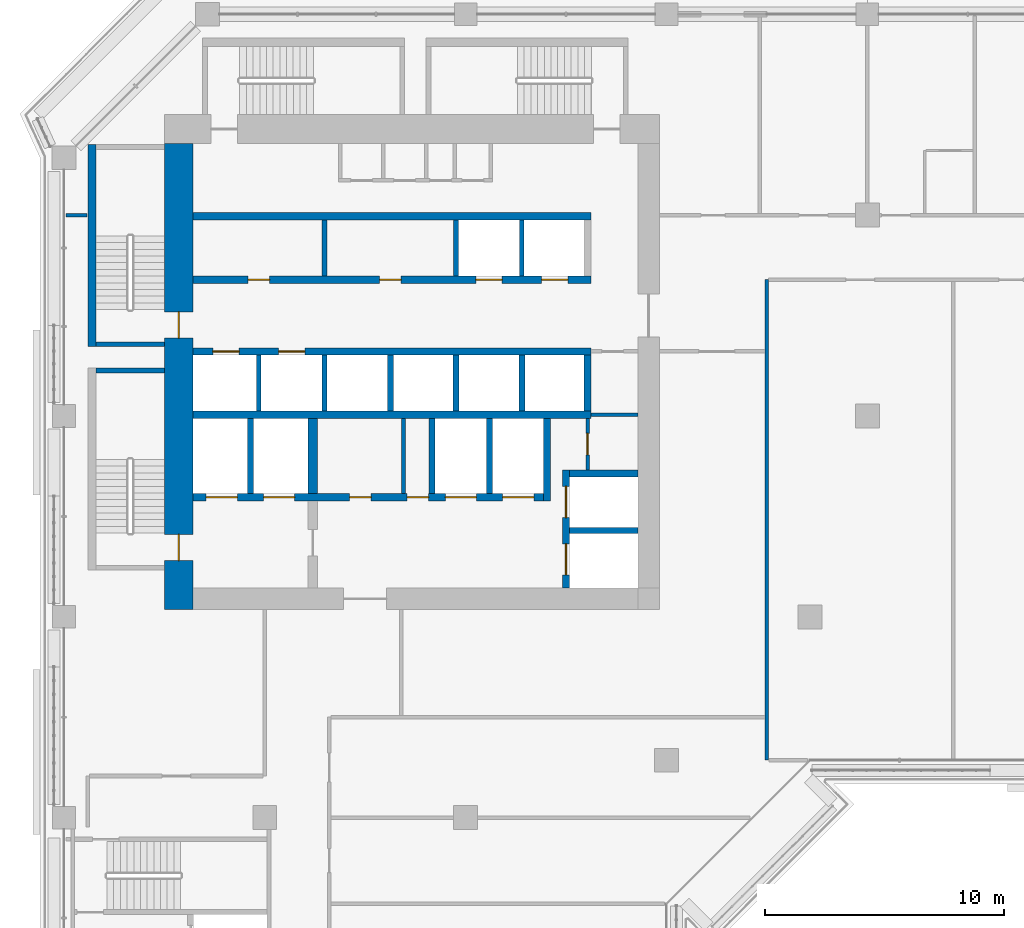
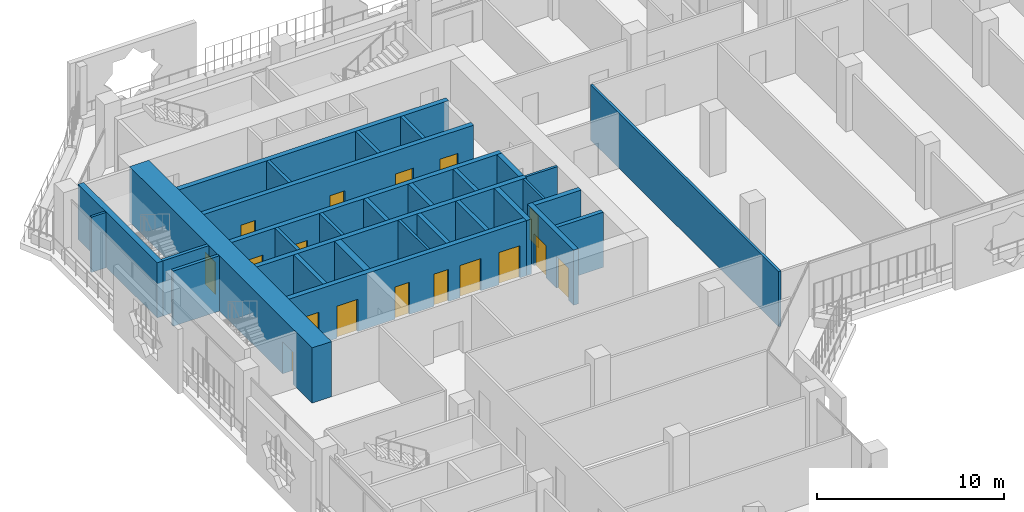
# One storey, part 11 of 21: 31 walls, 17 doors, 17 openings.
"""IFC4 building model written with IfcOpenShell, lengths in metres."""

from ifc_helpers import new_model, si_unit, direction, frame, frame_2d, origin, place, context, subcontext, project, spatial, rectangle, extrude, material, layer, layer_set, type_object, element, fill, save


model = new_model("IFC4")

# Units and contexts
model_context = context("Model", 3, precision=1e-05, world=origin(), true_north=direction((0.0, 1.0)))
body_context = subcontext(model_context, "Body", "Model", "MODEL_VIEW")
ifc_project = project(units=[si_unit("LENGTHUNIT", "METRE"), si_unit("AREAUNIT", "SQUARE_METRE"), si_unit("VOLUMEUNIT", "CUBIC_METRE"), si_unit("PLANEANGLEUNIT", "RADIAN"), si_unit("MASSUNIT", "GRAM", prefix="KILO")], contexts=[model_context])

# Site, building, storey
site_placement = place(None, origin())
site = spatial("IfcSite", under=ifc_project, at=site_placement, CompositionType="ELEMENT")
building_placement = place(site_placement, origin())
building = spatial("IfcBuilding", under=site, at=building_placement, Name="Kawkab Arch Medical Tower", CompositionType="ELEMENT")
storey_placement = place(building_placement, frame((0.0, 0.0, 200.39990234375)))
storey = spatial("IfcBuildingStorey", under=building, at=storey_placement, Name="L46", CompositionType="ELEMENT", Elevation=200.39990234375)

# Wall, openings, doors
ifc_material_1 = material(Name="Concrete C55/67", Category="concrete")
ifc_layer_1 = layer(ifc_material_1, 1.199951171875)
ifc_layer_set_1 = layer_set([ifc_layer_1], Name="Concrete C55/67")
wall_type_1 = type_object("IfcWallType", Name="Core ring wall 1200 C55/67", PredefinedType="SHEAR", material=ifc_layer_set_1)
wall_1_placement = place(storey_placement, frame((4.800048828125, -24.89990234375, 0.0), z_axis=(0.0, 0.0, 1.0), x_axis=(0.0, 1.0, 0.0)))
wall_1 = element("IfcWall", 1, at=wall_1_placement, inside=storey, type_object=wall_type_1, Name="L46 core wall", PredefinedType="SHEAR", context=body_context, shape_type="SweptSolid", body=[
    extrude(rectangle(XDim=19.5, YDim=1.199951171875, at=frame_2d((9.75, 0.0))), origin(), (0.0, 0.0, 1.0), 3.60009765625),
])
opening_1_placement = place(wall_1_placement, frame((11.35009765625, 0.0, 0.0)))
opening_1 = element("IfcOpeningElement", 2, at=opening_1_placement, cuts=wall_1, Name="Opening SD", PredefinedType="OPENING", context=body_context, shape_type="SweptSolid", body=[
    extrude(rectangle(XDim=1.10009765625, YDim=2.10009765625, at=frame_2d((0.550048828125, 1.050048828125))), frame((0.0, 0.60986328125, 0.0), z_axis=(0.0, -1.0, 0.0), x_axis=(1.0, 0.0, 0.0)), (0.0, 0.0, 1.0), 1.219970703125),
])
opening_2_placement = place(wall_1_placement, frame((2.050048828125, 0.0, 0.0)))
opening_2 = element("IfcOpeningElement", 3, at=opening_2_placement, cuts=wall_1, Name="Opening SD", PredefinedType="OPENING", context=body_context, shape_type="SweptSolid", body=[
    extrude(rectangle(XDim=1.10009765625, YDim=2.10009765625, at=frame_2d((0.550048828125, 1.050048828125))), frame((0.0, 0.60986328125, 0.0), z_axis=(0.0, -1.0, 0.0), x_axis=(1.0, 0.0, 0.0)), (0.0, 0.0, 1.0), 1.219970703125),
])
ifc_material_2 = material(Name="Hollow metal fire door leaf")
door_type_1 = type_object("IfcDoorType", Name="Exit stair door 1100", OperationType="SINGLE_SWING_LEFT", PredefinedType="DOOR", material=ifc_material_2)
door_1_placement = place(opening_1_placement, origin())
door_1 = element("IfcDoor", 4, at=door_1_placement, inside=storey, type_object=door_type_1, Name="L46 Exit stair ST1 door", OperationType="SINGLE_SWING_LEFT", OverallHeight=2.10009765625, OverallWidth=1.10009765625, PredefinedType="DOOR", context=body_context, shape_type="SweptSolid", body=[
    extrude(rectangle(XDim=1.10009765625, YDim=2.10009765625, at=frame_2d((0.550048828125, 1.050048828125))), frame((0.0, 0.02490234375, 0.0), z_axis=(0.0, -1.0, 0.0), x_axis=(1.0, 0.0, 0.0)), (0.0, 0.0, 1.0), 0.050048828125),
])
fill(opening_1, door_1)
door_2_placement = place(opening_2_placement, origin())
door_2 = element("IfcDoor", 5, at=door_2_placement, inside=storey, type_object=door_type_1, Name="L46 Exit stair ST2 door", OperationType="SINGLE_SWING_LEFT", OverallHeight=2.10009765625, OverallWidth=1.10009765625, PredefinedType="DOOR", context=body_context, shape_type="SweptSolid", body=[
    extrude(rectangle(XDim=1.10009765625, YDim=2.10009765625, at=frame_2d((0.550048828125, 1.050048828125))), frame((0.0, 0.02490234375, 0.0), z_axis=(0.0, -1.0, 0.0), x_axis=(1.0, 0.0, 0.0)), (0.0, 0.0, 1.0), 0.050048828125),
])
fill(opening_2, door_2)

# Wall, opening, door
ifc_material_3 = material(Name="Gypsum board on steel studs", Category="steel")
ifc_layer_2 = layer(ifc_material_3, 0.14990234375)
ifc_layer_set_2 = layer_set([ifc_layer_2], Name="Gypsum board on steel studs")
wall_type_2 = type_object("IfcWallType", Name="Core room partition 150", PredefinedType="PARTITIONING", material=ifc_layer_set_2)
wall_2_placement = place(storey_placement, frame((21.89990234375, -19.050048828125, 0.0), z_axis=(0.0, 0.0, 1.0), x_axis=(0.0, 1.0, 0.0)))
wall_2 = element("IfcWall", 6, at=wall_2_placement, inside=storey, type_object=wall_type_2, Name="L46 core room partition", PredefinedType="PARTITIONING", context=body_context, shape_type="SweptSolid", body=[
    extrude(rectangle(XDim=2.150146484375, YDim=0.14990234375, at=frame_2d((1.0751953125, 0.0))), origin(), (0.0, 0.0, 1.0), 3.60009765625),
])
opening_3_placement = place(wall_2_placement, frame((0.625, 0.0, 0.0)))
opening_3 = element("IfcOpeningElement", 7, at=opening_3_placement, cuts=wall_2, Name="Opening RD", PredefinedType="OPENING", context=body_context, shape_type="SweptSolid", body=[
    extrude(rectangle(XDim=0.89990234375, YDim=2.10009765625, at=frame_2d((0.449951171875, 1.050048828125))), frame((0.0, 0.0849609375, 0.0), z_axis=(0.0, -1.0, 0.0), x_axis=(1.0, 0.0, 0.0)), (0.0, 0.0, 1.0), 0.169921875),
])
ifc_material_4 = material(Name="Hollow metal fire door leaf")
door_type_2 = type_object("IfcDoorType", Name="Core room door 900", OperationType="SINGLE_SWING_LEFT", PredefinedType="DOOR", material=ifc_material_4)
door_3_placement = place(opening_3_placement, origin())
door_3 = element("IfcDoor", 8, at=door_3_placement, inside=storey, type_object=door_type_2, Name="L46 Staff WC door", OperationType="SINGLE_SWING_LEFT", OverallHeight=2.10009765625, OverallWidth=0.89990234375, PredefinedType="DOOR", context=body_context, shape_type="SweptSolid", body=[
    extrude(rectangle(XDim=0.89990234375, YDim=2.10009765625, at=frame_2d((0.449951171875, 1.050048828125))), frame((0.0, 0.02490234375, 0.0), z_axis=(0.0, -1.0, 0.0), x_axis=(1.0, 0.0, 0.0)), (0.0, 0.0, 1.0), 0.050048828125),
])
fill(opening_3, door_3)

# Walls
wall_3_placement = place(storey_placement, frame((22.050048828125, -16.75, 0.0), z_axis=(0.0, 0.0, 1.0), x_axis=(1.0, 0.0, 0.0)))
element("IfcWall", 9, at=wall_3_placement, inside=storey, type_object=wall_type_2, Name="L46 core room partition", PredefinedType="PARTITIONING", context=body_context, shape_type="SweptSolid", body=[
    extrude(rectangle(XDim=1.949951171875, YDim=0.14990234375, at=frame_2d((0.97509765625, 0.0))), origin(), (0.0, 0.0, 1.0), 3.60009765625),
])
wall_4_placement = place(storey_placement, frame((14.199951171875, -20.050048828125, 0.0), z_axis=(0.0, 0.0, 1.0), x_axis=(0.0, 1.0, 0.0)))
element("IfcWall", 10, at=wall_4_placement, inside=storey, type_object=wall_type_2, Name="L46 core room partition", PredefinedType="PARTITIONING", context=body_context, shape_type="SweptSolid", body=[
    extrude(rectangle(XDim=3.150146484375, YDim=0.14990234375, at=frame_2d((1.5751953125, 0.0))), origin(), (0.0, 0.0, 1.0), 3.60009765625),
])
ifc_material_5 = material(Name="Concrete C60/75", Category="concrete")
ifc_layer_3 = layer(ifc_material_5, 0.25)
ifc_layer_set_3 = layer_set([ifc_layer_3], Name="Concrete C60/75")
wall_type_3 = type_object("IfcWallType", Name="Core shear wall 250 C60/75", PredefinedType="SHEAR", material=ifc_layer_set_3)
wall_5_placement = place(storey_placement, frame((21.14990234375, -21.60009765625, 0.0), z_axis=(0.0, 0.0, 1.0), x_axis=(1.0, 0.0, 0.0)))
element("IfcWall", 11, at=wall_5_placement, inside=storey, type_object=wall_type_3, Name="L46 core shear wall", PredefinedType="SHEAR", context=body_context, shape_type="SweptSolid", body=[
    extrude(rectangle(XDim=2.85009765625, YDim=0.25, at=frame_2d((1.425048828125, 0.0))), origin(), (0.0, 0.0, 1.0), 3.60009765625),
])
for number, where, z_axis, x_axis, name in (
    (12, (7.800048828125, -20.050048828125, 0.0), (0.0, 0.0, 1.0), (0.0, 1.0, 0.0), "L46 core shear wall"),
    (13, (15.39990234375, -20.050048828125, 0.0), (0.0, 0.0, 1.0), (0.0, 1.0, 0.0), "L46 core shear wall"),
    (14, (17.800048828125, -20.050048828125, 0.0), (0.0, 0.0, 1.0), (0.0, 1.0, 0.0), "L46 core shear wall"),
):
    element("IfcWall", number, at=place(storey_placement, frame(where, z_axis=z_axis, x_axis=x_axis)), inside=storey, type_object=wall_type_3, Name=name, PredefinedType="SHEAR", context=body_context, shape_type="SweptSolid", body=[
        extrude(rectangle(XDim=3.150146484375, YDim=0.25, at=frame_2d((1.5751953125, 0.0))), origin(), (0.0, 0.0, 1.0), 3.60009765625),
    ])
for number, where, z_axis, x_axis, name in (
    (15, (13.64990234375, -16.60009765625, 0.0), (0.0, 0.0, 1.0), (0.0, 1.0, 0.0), "L46 core shear wall"),
    (16, (16.39990234375, -16.60009765625, 0.0), (0.0, 0.0, 1.0), (0.0, 1.0, 0.0), "L46 core shear wall"),
    (17, (19.14990234375, -16.60009765625, 0.0), (0.0, 0.0, 1.0), (0.0, 1.0, 0.0), "L46 core shear wall"),
):
    element("IfcWall", number, at=place(storey_placement, frame(where, z_axis=z_axis, x_axis=x_axis)), inside=storey, type_object=wall_type_3, Name=name, PredefinedType="SHEAR", context=body_context, shape_type="SweptSolid", body=[
        extrude(rectangle(XDim=2.35009765625, YDim=0.25, at=frame_2d((1.175048828125, 0.0))), origin(), (0.0, 0.0, 1.0), 3.60009765625),
    ])
ifc_material_6 = material(Name="Concrete C60/75", Category="concrete")
ifc_layer_4 = layer(ifc_material_6, 0.300048828125)
ifc_layer_set_4 = layer_set([ifc_layer_4], Name="Concrete C60/75")
wall_type_4 = type_object("IfcWallType", Name="Core shear wall 300 C60/75", PredefinedType="SHEAR", material=ifc_layer_set_4)
wall_6_placement = place(storey_placement, frame((5.39990234375, -8.449951171875, 0.0), z_axis=(0.0, 0.0, 1.0), x_axis=(1.0, 0.0, 0.0)))
element("IfcWall", 18, at=wall_6_placement, inside=storey, type_object=wall_type_4, Name="L46 core shear wall", PredefinedType="SHEAR", context=body_context, shape_type="SweptSolid", body=[
    extrude(rectangle(XDim=16.650146484375, YDim=0.300048828125, at=frame_2d((8.3251953125, 0.0))), origin(), (0.0, 0.0, 1.0), 3.60009765625),
])

# Wall, openings, doors
wall_7_placement = place(storey_placement, frame((5.39990234375, -11.10009765625, 0.0), z_axis=(0.0, 0.0, 1.0), x_axis=(1.0, 0.0, 0.0)))
wall_7 = element("IfcWall", 19, at=wall_7_placement, inside=storey, type_object=wall_type_4, Name="L46 core shear wall", PredefinedType="SHEAR", context=body_context, shape_type="SweptSolid", body=[
    extrude(rectangle(XDim=16.650146484375, YDim=0.300048828125, at=frame_2d((8.3251953125, 0.0))), origin(), (0.0, 0.0, 1.0), 3.60009765625),
])
opening_4_placement = place(wall_7_placement, frame((11.824951171875, 0.0, 0.0)))
opening_4 = element("IfcOpeningElement", 20, at=opening_4_placement, cuts=wall_7, Name="Opening LD1", PredefinedType="OPENING", context=body_context, shape_type="SweptSolid", body=[
    extrude(rectangle(XDim=1.10009765625, YDim=2.10009765625, at=frame_2d((0.550048828125, 1.050048828125))), frame((0.0, 0.159912109375, 0.0), z_axis=(0.0, -1.0, 0.0), x_axis=(1.0, 0.0, 0.0)), (0.0, 0.0, 1.0), 0.320068359375),
])
opening_5_placement = place(wall_7_placement, frame((14.574951171875, 0.0, 0.0)))
opening_5 = element("IfcOpeningElement", 21, at=opening_5_placement, cuts=wall_7, Name="Opening LD1", PredefinedType="OPENING", context=body_context, shape_type="SweptSolid", body=[
    extrude(rectangle(XDim=1.10009765625, YDim=2.10009765625, at=frame_2d((0.550048828125, 1.050048828125))), frame((0.0, 0.159912109375, 0.0), z_axis=(0.0, -1.0, 0.0), x_axis=(1.0, 0.0, 0.0)), (0.0, 0.0, 1.0), 0.320068359375),
])
opening_6_placement = place(wall_7_placement, frame((2.300048828125, 0.0, 0.0)))
opening_6 = element("IfcOpeningElement", 22, at=opening_6_placement, cuts=wall_7, Name="Opening RD", PredefinedType="OPENING", context=body_context, shape_type="SweptSolid", body=[
    extrude(rectangle(XDim=0.89990234375, YDim=2.10009765625, at=frame_2d((0.449951171875, 1.050048828125))), frame((0.0, 0.159912109375, 0.0), z_axis=(0.0, -1.0, 0.0), x_axis=(1.0, 0.0, 0.0)), (0.0, 0.0, 1.0), 0.320068359375),
])
opening_7_placement = place(wall_7_placement, frame((7.800048828125, 0.0, 0.0)))
opening_7 = element("IfcOpeningElement", 23, at=opening_7_placement, cuts=wall_7, Name="Opening RD", PredefinedType="OPENING", context=body_context, shape_type="SweptSolid", body=[
    extrude(rectangle(XDim=0.89990234375, YDim=2.10009765625, at=frame_2d((0.449951171875, 1.050048828125))), frame((0.0, 0.159912109375, 0.0), z_axis=(0.0, -1.0, 0.0), x_axis=(1.0, 0.0, 0.0)), (0.0, 0.0, 1.0), 0.320068359375),
])
door_4_placement = place(opening_6_placement, origin())
door_4 = element("IfcDoor", 24, at=door_4_placement, inside=storey, type_object=door_type_2, Name="L46 Ward pantry door", OperationType="SINGLE_SWING_LEFT", OverallHeight=2.10009765625, OverallWidth=0.89990234375, PredefinedType="DOOR", context=body_context, shape_type="SweptSolid", body=[
    extrude(rectangle(XDim=0.89990234375, YDim=2.10009765625, at=frame_2d((0.449951171875, 1.050048828125))), frame((0.0, 0.02490234375, 0.0), z_axis=(0.0, -1.0, 0.0), x_axis=(1.0, 0.0, 0.0)), (0.0, 0.0, 1.0), 0.050048828125),
])
fill(opening_6, door_4)
door_5_placement = place(opening_7_placement, origin())
door_5 = element("IfcDoor", 25, at=door_5_placement, inside=storey, type_object=door_type_2, Name="L46 Comms room door", OperationType="SINGLE_SWING_LEFT", OverallHeight=2.10009765625, OverallWidth=0.89990234375, PredefinedType="DOOR", context=body_context, shape_type="SweptSolid", body=[
    extrude(rectangle(XDim=0.89990234375, YDim=2.10009765625, at=frame_2d((0.449951171875, 1.050048828125))), frame((0.0, 0.02490234375, 0.0), z_axis=(0.0, -1.0, 0.0), x_axis=(1.0, 0.0, 0.0)), (0.0, 0.0, 1.0), 0.050048828125),
])
fill(opening_7, door_5)
ifc_material_7 = material(Name="Stainless steel lift door leaf", Category="steel")
door_type_3 = type_object("IfcDoorType", Name="Lift landing door 1100", OperationType="DOUBLE_DOOR_SLIDING", PredefinedType="DOOR", material=ifc_material_7)
door_6_placement = place(opening_4_placement, origin())
door_6 = element("IfcDoor", 26, at=door_6_placement, inside=storey, type_object=door_type_3, Name="L46 Lift landing door MP1", OperationType="DOUBLE_DOOR_SLIDING", OverallHeight=2.10009765625, OverallWidth=1.10009765625, PredefinedType="DOOR", context=body_context, shape_type="SweptSolid", body=[
    extrude(rectangle(XDim=1.10009765625, YDim=2.10009765625, at=frame_2d((0.550048828125, 1.050048828125))), frame((0.0, 0.02490234375, 0.0), z_axis=(0.0, -1.0, 0.0), x_axis=(1.0, 0.0, 0.0)), (0.0, 0.0, 1.0), 0.050048828125),
])
fill(opening_4, door_6)
door_7_placement = place(opening_5_placement, origin())
door_7 = element("IfcDoor", 27, at=door_7_placement, inside=storey, type_object=door_type_3, Name="L46 Lift landing door MP2", OperationType="DOUBLE_DOOR_SLIDING", OverallHeight=2.10009765625, OverallWidth=1.10009765625, PredefinedType="DOOR", context=body_context, shape_type="SweptSolid", body=[
    extrude(rectangle(XDim=1.10009765625, YDim=2.10009765625, at=frame_2d((0.550048828125, 1.050048828125))), frame((0.0, 0.02490234375, 0.0), z_axis=(0.0, -1.0, 0.0), x_axis=(1.0, 0.0, 0.0)), (0.0, 0.0, 1.0), 0.050048828125),
])
fill(opening_5, door_7)

wall_8_placement = place(storey_placement, frame((5.39990234375, -14.10009765625, 0.0), z_axis=(0.0, 0.0, 1.0), x_axis=(1.0, 0.0, 0.0)))
wall_8 = element("IfcWall", 28, at=wall_8_placement, inside=storey, type_object=wall_type_4, Name="L46 core shear wall", PredefinedType="SHEAR", context=body_context, shape_type="SweptSolid", body=[
    extrude(rectangle(XDim=16.650146484375, YDim=0.300048828125, at=frame_2d((8.3251953125, 0.0))), origin(), (0.0, 0.0, 1.0), 3.60009765625),
])
opening_8_placement = place(wall_8_placement, frame((0.824951171875, 0.0, 0.0)))
opening_8 = element("IfcOpeningElement", 29, at=opening_8_placement, cuts=wall_8, Name="Opening LD1", PredefinedType="OPENING", context=body_context, shape_type="SweptSolid", body=[
    extrude(rectangle(XDim=1.10009765625, YDim=2.10009765625, at=frame_2d((0.550048828125, 1.050048828125))), frame((0.0, 0.159912109375, 0.0), z_axis=(0.0, -1.0, 0.0), x_axis=(1.0, 0.0, 0.0)), (0.0, 0.0, 1.0), 0.320068359375),
])
opening_9_placement = place(wall_8_placement, frame((3.574951171875, 0.0, 0.0)))
opening_9 = element("IfcOpeningElement", 30, at=opening_9_placement, cuts=wall_8, Name="Opening LD1", PredefinedType="OPENING", context=body_context, shape_type="SweptSolid", body=[
    extrude(rectangle(XDim=1.10009765625, YDim=2.10009765625, at=frame_2d((0.550048828125, 1.050048828125))), frame((0.0, 0.159912109375, 0.0), z_axis=(0.0, -1.0, 0.0), x_axis=(1.0, 0.0, 0.0)), (0.0, 0.0, 1.0), 0.320068359375),
])
door_8_placement = place(opening_8_placement, origin())
door_8 = element("IfcDoor", 31, at=door_8_placement, inside=storey, type_object=door_type_3, Name="L46 Lift landing door MP3", OperationType="DOUBLE_DOOR_SLIDING", OverallHeight=2.10009765625, OverallWidth=1.10009765625, PredefinedType="DOOR", context=body_context, shape_type="SweptSolid", body=[
    extrude(rectangle(XDim=1.10009765625, YDim=2.10009765625, at=frame_2d((0.550048828125, 1.050048828125))), frame((0.0, 0.02490234375, 0.0), z_axis=(0.0, -1.0, 0.0), x_axis=(1.0, 0.0, 0.0)), (0.0, 0.0, 1.0), 0.050048828125),
])
fill(opening_8, door_8)
door_9_placement = place(opening_9_placement, origin())
door_9 = element("IfcDoor", 32, at=door_9_placement, inside=storey, type_object=door_type_3, Name="L46 Lift landing door MP4", OperationType="DOUBLE_DOOR_SLIDING", OverallHeight=2.10009765625, OverallWidth=1.10009765625, PredefinedType="DOOR", context=body_context, shape_type="SweptSolid", body=[
    extrude(rectangle(XDim=1.10009765625, YDim=2.10009765625, at=frame_2d((0.550048828125, 1.050048828125))), frame((0.0, 0.02490234375, 0.0), z_axis=(0.0, -1.0, 0.0), x_axis=(1.0, 0.0, 0.0)), (0.0, 0.0, 1.0), 0.050048828125),
])
fill(opening_9, door_9)

# Wall
wall_9_placement = place(storey_placement, frame((5.39990234375, -16.75, 0.0), z_axis=(0.0, 0.0, 1.0), x_axis=(1.0, 0.0, 0.0)))
element("IfcWall", 33, at=wall_9_placement, inside=storey, type_object=wall_type_4, Name="L46 core shear wall", PredefinedType="SHEAR", context=body_context, shape_type="SweptSolid", body=[
    extrude(rectangle(XDim=16.650146484375, YDim=0.300048828125, at=frame_2d((8.3251953125, 0.0))), origin(), (0.0, 0.0, 1.0), 3.60009765625),
])

# Wall, openings, doors
wall_10_placement = place(storey_placement, frame((5.39990234375, -20.199951171875, 0.0), z_axis=(0.0, 0.0, 1.0), x_axis=(1.0, 0.0, 0.0)))
wall_10 = element("IfcWall", 34, at=wall_10_placement, inside=storey, type_object=wall_type_4, Name="L46 core shear wall", PredefinedType="SHEAR", context=body_context, shape_type="SweptSolid", body=[
    extrude(rectangle(XDim=14.650146484375, YDim=0.300048828125, at=frame_2d((7.3251953125, 0.0))), origin(), (0.0, 0.0, 1.0), 3.60009765625),
])
opening_10_placement = place(wall_10_placement, frame((10.550048828125, 0.0, 0.0)))
opening_10 = element("IfcOpeningElement", 35, at=opening_10_placement, cuts=wall_10, Name="Opening LD2", PredefinedType="OPENING", context=body_context, shape_type="SweptSolid", body=[
    extrude(rectangle(XDim=1.300048828125, YDim=2.10009765625, at=frame_2d((0.64990234375, 1.050048828125))), frame((0.0, 0.159912109375, 0.0), z_axis=(0.0, -1.0, 0.0), x_axis=(1.0, 0.0, 0.0)), (0.0, 0.0, 1.0), 0.320068359375),
])
opening_11_placement = place(wall_10_placement, frame((12.949951171875, 0.0, 0.0)))
opening_11 = element("IfcOpeningElement", 36, at=opening_11_placement, cuts=wall_10, Name="Opening LD2", PredefinedType="OPENING", context=body_context, shape_type="SweptSolid", body=[
    extrude(rectangle(XDim=1.300048828125, YDim=2.10009765625, at=frame_2d((0.64990234375, 1.050048828125))), frame((0.0, 0.159912109375, 0.0), z_axis=(0.0, -1.0, 0.0), x_axis=(1.0, 0.0, 0.0)), (0.0, 0.0, 1.0), 0.320068359375),
])
opening_12_placement = place(wall_10_placement, frame((0.550048828125, 0.0, 0.0)))
opening_12 = element("IfcOpeningElement", 37, at=opening_12_placement, cuts=wall_10, Name="Opening LD2", PredefinedType="OPENING", context=body_context, shape_type="SweptSolid", body=[
    extrude(rectangle(XDim=1.300048828125, YDim=2.10009765625, at=frame_2d((0.64990234375, 1.050048828125))), frame((0.0, 0.159912109375, 0.0), z_axis=(0.0, -1.0, 0.0), x_axis=(1.0, 0.0, 0.0)), (0.0, 0.0, 1.0), 0.320068359375),
])
opening_13_placement = place(wall_10_placement, frame((2.949951171875, 0.0, 0.0)))
opening_13 = element("IfcOpeningElement", 38, at=opening_13_placement, cuts=wall_10, Name="Opening LD2", PredefinedType="OPENING", context=body_context, shape_type="SweptSolid", body=[
    extrude(rectangle(XDim=1.300048828125, YDim=2.10009765625, at=frame_2d((0.64990234375, 1.050048828125))), frame((0.0, 0.159912109375, 0.0), z_axis=(0.0, -1.0, 0.0), x_axis=(1.0, 0.0, 0.0)), (0.0, 0.0, 1.0), 0.320068359375),
])
opening_14_placement = place(wall_10_placement, frame((6.550048828125, 0.0, 0.0)))
opening_14 = element("IfcOpeningElement", 39, at=opening_14_placement, cuts=wall_10, Name="Opening RD", PredefinedType="OPENING", context=body_context, shape_type="SweptSolid", body=[
    extrude(rectangle(XDim=0.89990234375, YDim=2.10009765625, at=frame_2d((0.449951171875, 1.050048828125))), frame((0.0, 0.159912109375, 0.0), z_axis=(0.0, -1.0, 0.0), x_axis=(1.0, 0.0, 0.0)), (0.0, 0.0, 1.0), 0.320068359375),
])
opening_15_placement = place(wall_10_placement, frame((8.949951171875, 0.0, 0.0)))
opening_15 = element("IfcOpeningElement", 40, at=opening_15_placement, cuts=wall_10, Name="Opening RD", PredefinedType="OPENING", context=body_context, shape_type="SweptSolid", body=[
    extrude(rectangle(XDim=0.89990234375, YDim=2.10009765625, at=frame_2d((0.449951171875, 1.050048828125))), frame((0.0, 0.159912109375, 0.0), z_axis=(0.0, -1.0, 0.0), x_axis=(1.0, 0.0, 0.0)), (0.0, 0.0, 1.0), 0.320068359375),
])
door_10_placement = place(opening_14_placement, origin())
door_10 = element("IfcDoor", 41, at=door_10_placement, inside=storey, type_object=door_type_2, Name="L46 Medication store door", OperationType="SINGLE_SWING_LEFT", OverallHeight=2.10009765625, OverallWidth=0.89990234375, PredefinedType="DOOR", context=body_context, shape_type="SweptSolid", body=[
    extrude(rectangle(XDim=0.89990234375, YDim=2.10009765625, at=frame_2d((0.449951171875, 1.050048828125))), frame((0.0, 0.02490234375, 0.0), z_axis=(0.0, -1.0, 0.0), x_axis=(1.0, 0.0, 0.0)), (0.0, 0.0, 1.0), 0.050048828125),
])
fill(opening_14, door_10)
door_11_placement = place(opening_15_placement, origin())
door_11 = element("IfcDoor", 42, at=door_11_placement, inside=storey, type_object=door_type_2, Name="L46 Clean utility room door", OperationType="SINGLE_SWING_LEFT", OverallHeight=2.10009765625, OverallWidth=0.89990234375, PredefinedType="DOOR", context=body_context, shape_type="SweptSolid", body=[
    extrude(rectangle(XDim=0.89990234375, YDim=2.10009765625, at=frame_2d((0.449951171875, 1.050048828125))), frame((0.0, 0.02490234375, 0.0), z_axis=(0.0, -1.0, 0.0), x_axis=(1.0, 0.0, 0.0)), (0.0, 0.0, 1.0), 0.050048828125),
])
fill(opening_15, door_11)
ifc_material_8 = material(Name="Stainless steel lift door leaf", Category="steel")
door_type_4 = type_object("IfcDoorType", Name="Lift landing door 1300", OperationType="DOUBLE_DOOR_SLIDING", PredefinedType="DOOR", material=ifc_material_8)
door_12_placement = place(opening_10_placement, origin())
door_12 = element("IfcDoor", 43, at=door_12_placement, inside=storey, type_object=door_type_4, Name="L46 Lift landing door BD3", OperationType="DOUBLE_DOOR_SLIDING", OverallHeight=2.10009765625, OverallWidth=1.300048828125, PredefinedType="DOOR", context=body_context, shape_type="SweptSolid", body=[
    extrude(rectangle(XDim=1.300048828125, YDim=2.10009765625, at=frame_2d((0.64990234375, 1.050048828125))), frame((0.0, 0.02490234375, 0.0), z_axis=(0.0, -1.0, 0.0), x_axis=(1.0, 0.0, 0.0)), (0.0, 0.0, 1.0), 0.050048828125),
])
fill(opening_10, door_12)
door_13_placement = place(opening_11_placement, origin())
door_13 = element("IfcDoor", 44, at=door_13_placement, inside=storey, type_object=door_type_4, Name="L46 Lift landing door BD4", OperationType="DOUBLE_DOOR_SLIDING", OverallHeight=2.10009765625, OverallWidth=1.300048828125, PredefinedType="DOOR", context=body_context, shape_type="SweptSolid", body=[
    extrude(rectangle(XDim=1.300048828125, YDim=2.10009765625, at=frame_2d((0.64990234375, 1.050048828125))), frame((0.0, 0.02490234375, 0.0), z_axis=(0.0, -1.0, 0.0), x_axis=(1.0, 0.0, 0.0)), (0.0, 0.0, 1.0), 0.050048828125),
])
fill(opening_11, door_13)
door_14_placement = place(opening_12_placement, origin())
door_14 = element("IfcDoor", 45, at=door_14_placement, inside=storey, type_object=door_type_4, Name="L46 Lift landing door FL1", OperationType="DOUBLE_DOOR_SLIDING", OverallHeight=2.10009765625, OverallWidth=1.300048828125, PredefinedType="DOOR", context=body_context, shape_type="SweptSolid", body=[
    extrude(rectangle(XDim=1.300048828125, YDim=2.10009765625, at=frame_2d((0.64990234375, 1.050048828125))), frame((0.0, 0.02490234375, 0.0), z_axis=(0.0, -1.0, 0.0), x_axis=(1.0, 0.0, 0.0)), (0.0, 0.0, 1.0), 0.050048828125),
])
fill(opening_12, door_14)
door_15_placement = place(opening_13_placement, origin())
door_15 = element("IfcDoor", 46, at=door_15_placement, inside=storey, type_object=door_type_4, Name="L46 Lift landing door FL2", OperationType="DOUBLE_DOOR_SLIDING", OverallHeight=2.10009765625, OverallWidth=1.300048828125, PredefinedType="DOOR", context=body_context, shape_type="SweptSolid", body=[
    extrude(rectangle(XDim=1.300048828125, YDim=2.10009765625, at=frame_2d((0.64990234375, 1.050048828125))), frame((0.0, 0.02490234375, 0.0), z_axis=(0.0, -1.0, 0.0), x_axis=(1.0, 0.0, 0.0)), (0.0, 0.0, 1.0), 0.050048828125),
])
fill(opening_13, door_15)

# Walls
wall_11_placement = place(storey_placement, frame((20.199951171875, -20.35009765625, 0.0), z_axis=(0.0, 0.0, 1.0), x_axis=(0.0, 1.0, 0.0)))
element("IfcWall", 47, at=wall_11_placement, inside=storey, type_object=wall_type_4, Name="L46 core shear wall", PredefinedType="SHEAR", context=body_context, shape_type="SweptSolid", body=[
    extrude(rectangle(XDim=3.4501953125, YDim=0.300048828125, at=frame_2d((1.72509765625, 0.0))), origin(), (0.0, 0.0, 1.0), 3.60009765625),
])
wall_12_placement = place(storey_placement, frame((21.89990234375, -16.60009765625, 0.0), z_axis=(0.0, 0.0, 1.0), x_axis=(0.0, 1.0, 0.0)))
element("IfcWall", 48, at=wall_12_placement, inside=storey, type_object=wall_type_4, Name="L46 core shear wall", PredefinedType="SHEAR", context=body_context, shape_type="SweptSolid", body=[
    extrude(rectangle(XDim=2.35009765625, YDim=0.300048828125, at=frame_2d((1.175048828125, 0.0))), origin(), (0.0, 0.0, 1.0), 3.60009765625),
])
wall_13_placement = place(storey_placement, frame((21.14990234375, -19.199951171875, 0.0), z_axis=(0.0, 0.0, 1.0), x_axis=(1.0, 0.0, 0.0)))
element("IfcWall", 49, at=wall_13_placement, inside=storey, type_object=wall_type_4, Name="L46 core shear wall", PredefinedType="SHEAR", context=body_context, shape_type="SweptSolid", body=[
    extrude(rectangle(XDim=2.85009765625, YDim=0.300048828125, at=frame_2d((1.425048828125, 0.0))), origin(), (0.0, 0.0, 1.0), 3.60009765625),
])

# Wall, openings, doors
wall_14_placement = place(storey_placement, frame((21.0, -24.0, 0.0), z_axis=(0.0, 0.0, 1.0), x_axis=(0.0, 1.0, 0.0)))
wall_14 = element("IfcWall", 50, at=wall_14_placement, inside=storey, type_object=wall_type_4, Name="L46 core shear wall", PredefinedType="SHEAR", context=body_context, shape_type="SweptSolid", body=[
    extrude(rectangle(XDim=4.949951171875, YDim=0.300048828125, at=frame_2d((2.47509765625, 0.0))), origin(), (0.0, 0.0, 1.0), 3.60009765625),
])
opening_16_placement = place(wall_14_placement, frame((2.949951171875, 0.0, 0.0)))
opening_16 = element("IfcOpeningElement", 51, at=opening_16_placement, cuts=wall_14, Name="Opening LD2", PredefinedType="OPENING", context=body_context, shape_type="SweptSolid", body=[
    extrude(rectangle(XDim=1.300048828125, YDim=2.10009765625, at=frame_2d((0.64990234375, 1.050048828125))), frame((0.0, 0.159912109375, 0.0), z_axis=(0.0, -1.0, 0.0), x_axis=(1.0, 0.0, 0.0)), (0.0, 0.0, 1.0), 0.320068359375),
])
opening_17_placement = place(wall_14_placement, frame((0.550048828125, 0.0, 0.0)))
opening_17 = element("IfcOpeningElement", 52, at=opening_17_placement, cuts=wall_14, Name="Opening LD2", PredefinedType="OPENING", context=body_context, shape_type="SweptSolid", body=[
    extrude(rectangle(XDim=1.300048828125, YDim=2.10009765625, at=frame_2d((0.64990234375, 1.050048828125))), frame((0.0, 0.159912109375, 0.0), z_axis=(0.0, -1.0, 0.0), x_axis=(1.0, 0.0, 0.0)), (0.0, 0.0, 1.0), 0.320068359375),
])
door_16_placement = place(opening_16_placement, origin())
door_16 = element("IfcDoor", 53, at=door_16_placement, inside=storey, type_object=door_type_4, Name="L46 Lift landing door BD1", OperationType="DOUBLE_DOOR_SLIDING", OverallHeight=2.10009765625, OverallWidth=1.300048828125, PredefinedType="DOOR", context=body_context, shape_type="SweptSolid", body=[
    extrude(rectangle(XDim=1.300048828125, YDim=2.10009765625, at=frame_2d((0.64990234375, 1.050048828125))), frame((0.0, 0.02490234375, 0.0), z_axis=(0.0, -1.0, 0.0), x_axis=(1.0, 0.0, 0.0)), (0.0, 0.0, 1.0), 0.050048828125),
])
fill(opening_16, door_16)
door_17_placement = place(opening_17_placement, origin())
door_17 = element("IfcDoor", 54, at=door_17_placement, inside=storey, type_object=door_type_4, Name="L46 Lift landing door BD2", OperationType="DOUBLE_DOOR_SLIDING", OverallHeight=2.10009765625, OverallWidth=1.300048828125, PredefinedType="DOOR", context=body_context, shape_type="SweptSolid", body=[
    extrude(rectangle(XDim=1.300048828125, YDim=2.10009765625, at=frame_2d((0.64990234375, 1.050048828125))), frame((0.0, 0.02490234375, 0.0), z_axis=(0.0, -1.0, 0.0), x_axis=(1.0, 0.0, 0.0)), (0.0, 0.0, 1.0), 0.050048828125),
])
fill(opening_17, door_17)

# Walls
ifc_material_9 = material(Name="Concrete C60/75", Category="concrete")
ifc_layer_5 = layer(ifc_material_9, 0.39990234375)
ifc_layer_set_5 = layer_set([ifc_layer_5], Name="Concrete C60/75")
wall_type_5 = type_object("IfcWallType", Name="Core shear wall 400 C60/75", PredefinedType="SHEAR", material=ifc_layer_set_5)
wall_15_placement = place(storey_placement, frame((10.39990234375, -20.050048828125, 0.0), z_axis=(0.0, 0.0, 1.0), x_axis=(0.0, 1.0, 0.0)))
element("IfcWall", 55, at=wall_15_placement, inside=storey, type_object=wall_type_5, Name="L46 core shear wall", PredefinedType="SHEAR", context=body_context, shape_type="SweptSolid", body=[
    extrude(rectangle(XDim=3.150146484375, YDim=0.39990234375, at=frame_2d((1.5751953125, 0.0))), origin(), (0.0, 0.0, 1.0), 3.60009765625),
])
ifc_material_10 = material(Name="Dense concrete blockwork", Category="masonry")
ifc_layer_6 = layer(ifc_material_10, 0.199951171875)
ifc_layer_set_6 = layer_set([ifc_layer_6], Name="Dense concrete blockwork")
wall_type_6 = type_object("IfcWallType", Name="Lift shaft partition 200", PredefinedType="PARTITIONING", material=ifc_layer_set_6)
for number, where, z_axis, x_axis, name in (
    (56, (10.89990234375, -10.949951171875, 0.0), (0.0, 0.0, 1.0), (0.0, 1.0, 0.0), "L46 lift shaft partition"),
    (57, (16.39990234375, -10.949951171875, 0.0), (0.0, 0.0, 1.0), (0.0, 1.0, 0.0), "L46 lift shaft partition"),
    (58, (19.14990234375, -10.949951171875, 0.0), (0.0, 0.0, 1.0), (0.0, 1.0, 0.0), "L46 lift shaft partition"),
):
    element("IfcWall", number, at=place(storey_placement, frame(where, z_axis=z_axis, x_axis=x_axis)), inside=storey, type_object=wall_type_6, Name=name, PredefinedType="PARTITIONING", context=body_context, shape_type="SweptSolid", body=[
        extrude(rectangle(XDim=2.349853515625, YDim=0.199951171875, at=frame_2d((1.1748046875, 0.0))), origin(), (0.0, 0.0, 1.0), 3.60009765625),
    ])
for number, where, z_axis, x_axis, name in (
    (59, (8.14990234375, -16.60009765625, 0.0), (0.0, 0.0, 1.0), (0.0, 1.0, 0.0), "L46 lift shaft partition"),
    (60, (10.89990234375, -16.60009765625, 0.0), (0.0, 0.0, 1.0), (0.0, 1.0, 0.0), "L46 lift shaft partition"),
):
    element("IfcWall", number, at=place(storey_placement, frame(where, z_axis=z_axis, x_axis=x_axis)), inside=storey, type_object=wall_type_6, Name=name, PredefinedType="PARTITIONING", context=body_context, shape_type="SweptSolid", body=[
        extrude(rectangle(XDim=2.35009765625, YDim=0.199951171875, at=frame_2d((1.175048828125, 0.0))), origin(), (0.0, 0.0, 1.0), 3.60009765625),
    ])
ifc_material_11 = material(Name="Gypsum board partition on steel studs, mineral wool", Category="steel")
ifc_layer_7 = layer(ifc_material_11, 0.14990234375)
ifc_layer_set_7 = layer_set([ifc_layer_7], Name="Gypsum board partition on steel studs, mineral wool")
wall_type_7 = type_object("IfcWallType", Name="Partition 150", PredefinedType="PARTITIONING", material=ifc_layer_set_7)
wall_16_placement = place(storey_placement, frame((0.080078125, -8.39990234375, 0.0), z_axis=(0.0, 0.0, 1.0), x_axis=(1.0, 0.0, 0.0)))
element("IfcWall", 61, at=wall_16_placement, inside=storey, type_object=wall_type_7, Name="Partition 150 w021", PredefinedType="PARTITIONING", context=body_context, shape_type="SweptSolid", body=[
    extrude(rectangle(XDim=0.889892578125, YDim=0.14990234375, at=frame_2d((0.44482421875, 0.0))), origin(), (0.0, 0.0, 1.0), 3.60009765625),
])
wall_17_placement = place(storey_placement, frame((29.39990234375, -31.197998046875, 0.0), z_axis=(0.0, 0.0, 1.0), x_axis=(0.0, 1.0, 0.0)))
element("IfcWall", 62, at=wall_17_placement, inside=storey, type_object=wall_type_7, Name="Partition 150 w032", PredefinedType="PARTITIONING", context=body_context, shape_type="SweptSolid", body=[
    extrude(rectangle(XDim=20.097900390625, YDim=0.14990234375, at=frame_2d((10.048828125, 0.0))), origin(), (0.0, 0.0, 1.0), 3.60009765625),
])
ifc_material_12 = material(Name="Concrete C50/60", Category="concrete")
ifc_layer_8 = layer(ifc_material_12, 0.199951171875)
ifc_layer_set_8 = layer_set([ifc_layer_8], Name="Concrete C50/60")
wall_type_8 = type_object("IfcWallType", Name="Stair enclosure wall 200 C50/60", PredefinedType="SHEAR", material=ifc_layer_set_8)
for number, where, z_axis, x_axis, name in (
    (63, (1.35009765625, -13.800048828125, 0.0), (0.0, 0.0, 1.0), (1.0, 0.0, 0.0), "L46 stair enclosure wall"),
    (64, (1.35009765625, -14.89990234375, 0.0), (0.0, 0.0, 1.0), (1.0, 0.0, 0.0), "L46 stair enclosure wall"),
):
    element("IfcWall", number, at=place(storey_placement, frame(where, z_axis=z_axis, x_axis=x_axis)), inside=storey, type_object=wall_type_8, Name=name, PredefinedType="SHEAR", context=body_context, shape_type="SweptSolid", body=[
        extrude(rectangle(XDim=2.849853515625, YDim=0.199951171875, at=frame_2d((1.4248046875, 0.0))), origin(), (0.0, 0.0, 1.0), 3.60009765625),
    ])
ifc_material_13 = material(Name="Concrete C50/60", Category="concrete")
ifc_layer_9 = layer(ifc_material_13, 0.35009765625)
ifc_layer_set_9 = layer_set([ifc_layer_9], Name="Concrete C50/60")
wall_type_9 = type_object("IfcWallType", Name="Stair enclosure wall 350 C50/60", PredefinedType="SHEAR", material=ifc_layer_set_9)
wall_18_placement = place(storey_placement, frame((1.175048828125, -13.89990234375, 0.0), z_axis=(0.0, 0.0, 1.0), x_axis=(0.0, 1.0, 0.0)))
element("IfcWall", 65, at=wall_18_placement, inside=storey, type_object=wall_type_9, Name="L46 stair enclosure wall", PredefinedType="SHEAR", context=body_context, shape_type="SweptSolid", body=[
    extrude(rectangle(XDim=8.449951171875, YDim=0.35009765625, at=frame_2d((4.22509765625, 0.0))), origin(), (0.0, 0.0, 1.0), 3.60009765625),
])

save(model, "model.ifc")
